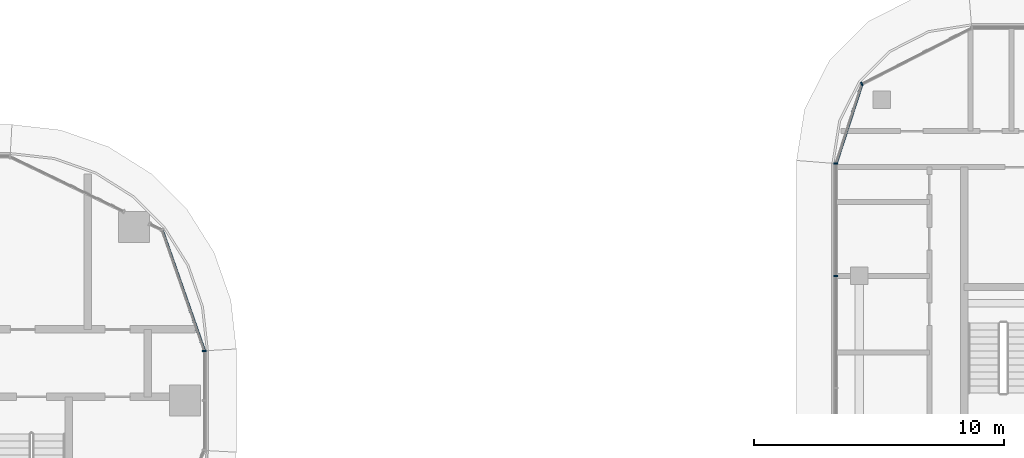
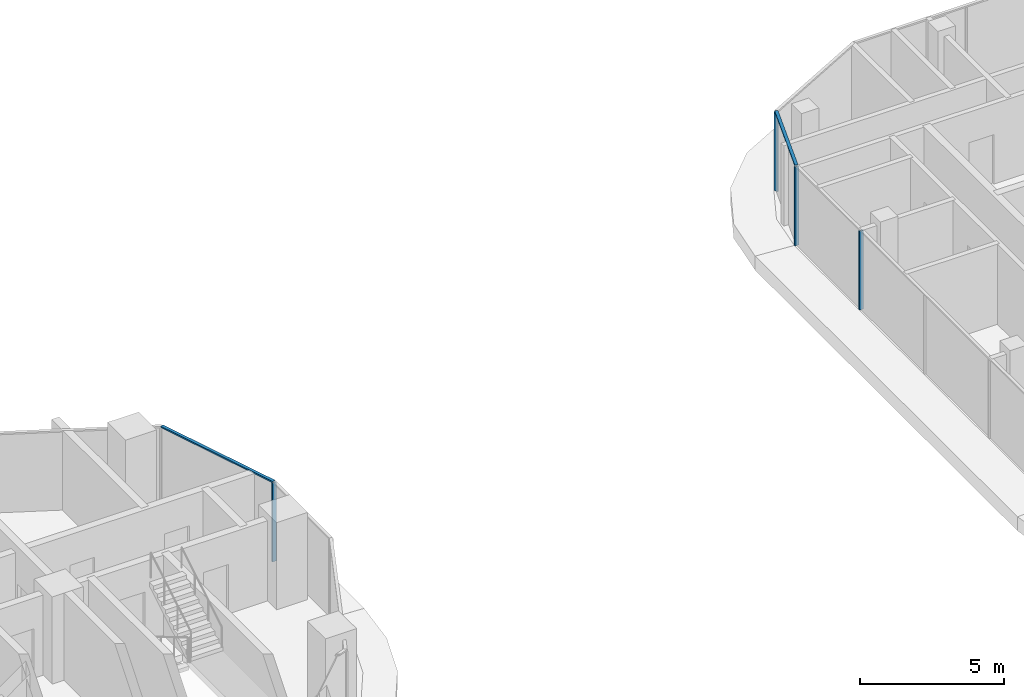
# One storey, part 9 of 40: 6 members, 4 elements without a shape of their own.
"""IFC4 building model written with IfcOpenShell, lengths in metres."""

from ifc_helpers import new_model, si_unit, direction, frame, origin, origin_2d, place, context, subcontext, project, spatial, rectangle, extrude, material, material_profile, profile_set, type_object, element, aggregate, save


model = new_model("IFC4")

# Units and contexts
model_context = context("Model", 3, precision=1e-05, world=origin(), true_north=direction((0.0, 1.0)))
body_context = subcontext(model_context, "Body", "Model", "MODEL_VIEW")
ifc_project = project(units=[si_unit("LENGTHUNIT", "METRE"), si_unit("AREAUNIT", "SQUARE_METRE"), si_unit("VOLUMEUNIT", "CUBIC_METRE"), si_unit("PLANEANGLEUNIT", "RADIAN"), si_unit("MASSUNIT", "GRAM", prefix="KILO")], contexts=[model_context])

# Site, building, storey
site_placement = place(None, origin())
site = spatial("IfcSite", under=ifc_project, at=site_placement, CompositionType="ELEMENT")
building_placement = place(site_placement, origin())
building = spatial("IfcBuilding", under=site, at=building_placement, Name="Ogive Portal Towers", CompositionType="ELEMENT")
storey_placement = place(building_placement, frame((0.0, 0.0, 87.10009765625)))
storey = spatial("IfcBuildingStorey", under=building, at=storey_placement, Name="L20", CompositionType="ELEMENT", Elevation=87.10009765625)

# Curtain wall, member
ifc_material_1 = material(Name="Glass, clear low-iron insulated glazing", Category="glass")
curtain_wall_type_1 = type_object("IfcCurtainWallType", Name="CW FRONT RIBBON 4500", PredefinedType="NOTDEFINED", material=ifc_material_1)
curtain_wall_1_placement = place(storey_placement, origin())
curtain_wall_1 = element("IfcCurtainWall", 1, at=curtain_wall_1_placement, inside=storey, type_object=curtain_wall_type_1, Name="A:L20:f08:cw0", PredefinedType="NOTDEFINED")
ifc_material_2 = material(Name="Aluminium 6063 anodised", Category="aluminium")
ifc_material_profile_1 = material_profile(ifc_material_2, rectangle(XDim=0.159912109375, YDim=0.06005859375, at=origin_2d()), Name="AL 60x160")
ifc_profile_set_1 = profile_set([ifc_material_profile_1], Name="Aluminium 6063 anodised")
member_type_1 = type_object("IfcMemberType", Name="CW MULLION 60x160", PredefinedType="MULLION", material=ifc_profile_set_1)
member_1_placement = place(storey_placement, frame((95.27490234375, 32.486328125, 0.0), z_axis=(0.0, 0.0, 1.0), x_axis=(-1.0, 0.0, 0.0)))
member_1 = element("IfcMember", 2, at=member_1_placement, type_object=member_type_1, Name="mullion", PredefinedType="MULLION", context=body_context, shape_type="SweptSolid", body=[
    extrude(rectangle(XDim=0.159912109375, YDim=0.06005859375, at=origin_2d()), origin(), (0.0, 0.0, 1.0), 3.33984375),
])
aggregate(curtain_wall_1, [member_1])

# Curtain wall, members
curtain_wall_type_2 = type_object("IfcCurtainWallType", Name="CW RESIDENCES RIBBON", PredefinedType="NOTDEFINED", material=ifc_material_1)
curtain_wall_2_placement = place(storey_placement, origin())
curtain_wall_2 = element("IfcCurtainWall", 3, at=curtain_wall_2_placement, inside=storey, type_object=curtain_wall_type_2, Name="B:L20:f11:cw0", PredefinedType="NOTDEFINED")
member_2_placement = place(storey_placement, frame((120.570068359375, 39.9873046875, 0.0), z_axis=(0.0, 0.0, 1.0), x_axis=(1.0, 0.0, 0.0)))
member_2 = element("IfcMember", 4, at=member_2_placement, type_object=member_type_1, Name="mullion", PredefinedType="MULLION", context=body_context, shape_type="SweptSolid", body=[
    extrude(rectangle(XDim=0.159912109375, YDim=0.06005859375, at=origin_2d()), origin(), (0.0, 0.0, 1.0), 3.33984375),
])
member_3_placement = place(storey_placement, frame((120.570068359375, 35.5, 0.0), z_axis=(0.0, 0.0, 1.0), x_axis=(1.0, 0.0, 0.0)))
member_3 = element("IfcMember", 5, at=member_3_placement, type_object=member_type_1, Name="mullion", PredefinedType="MULLION", context=body_context, shape_type="SweptSolid", body=[
    extrude(rectangle(XDim=0.159912109375, YDim=0.06005859375, at=origin_2d()), origin(), (0.0, 0.0, 1.0), 3.33984375),
])
aggregate(curtain_wall_2, [member_2, member_3])

# Curtain wall, member
curtain_wall_3_placement = place(storey_placement, origin())
curtain_wall_3 = element("IfcCurtainWall", 6, at=curtain_wall_3_placement, inside=storey, type_object=curtain_wall_type_2, Name="B:L20:f09:cwa", PredefinedType="NOTDEFINED")
member_4_placement = place(storey_placement, frame((121.608154296875, 43.182373046875, 0.0), z_axis=(0.0, 0.0, 1.0), x_axis=(0.45399049974, -0.891006524188, 0.0)))
member_4 = element("IfcMember", 7, at=member_4_placement, type_object=member_type_1, Name="mullion", PredefinedType="MULLION", context=body_context, shape_type="SweptSolid", body=[
    extrude(rectangle(XDim=0.159912109375, YDim=0.06005859375, at=origin_2d()), origin(), (0.0, 0.0, 1.0), 3.33984375),
])

curtain_wall_4_placement = place(storey_placement, origin())
curtain_wall_4 = element("IfcCurtainWall", 8, at=curtain_wall_4_placement, inside=storey, type_object=curtain_wall_type_1, Name="A:L20:f09:cwa~0", PredefinedType="NOTDEFINED")
ifc_material_profile_2 = material_profile(ifc_material_2, rectangle(XDim=0.1201171875, YDim=0.06005859375, at=origin_2d()), Name="AL 120x60")
ifc_profile_set_2 = profile_set([ifc_material_profile_2], Name="Aluminium 6063 anodised")
member_type_2 = type_object("IfcMemberType", Name="CW TRANSOM 60x120", PredefinedType="USERDEFINED", material=ifc_profile_set_2)
member_5_placement = place(storey_placement, frame((95.27490234375, 32.486328125, 3.369873046875), z_axis=(-0.330265827813, 0.943887961031, 0.0), x_axis=(-0.943887961031, -0.330265827813, 0.0)))
member_5 = element("IfcMember", 9, at=member_5_placement, type_object=member_type_2, Name="transom", ObjectType="TRANSOM", PredefinedType="USERDEFINED", context=body_context, shape_type="SweptSolid", body=[
    extrude(rectangle(XDim=0.1201171875, YDim=0.06005859375, at=origin_2d()), origin(), (0.0, 0.0, 1.0), 5.14208984375),
])
aggregate(curtain_wall_4, [member_5])

# Member
member_6_placement = place(storey_placement, frame((121.608154296875, 43.182373046875, 3.369873046875), z_axis=(-0.309002265981, -0.951061301714, 0.0), x_axis=(0.951061301714, -0.309002265981, 0.0)))
member_6 = element("IfcMember", 10, at=member_6_placement, type_object=member_type_2, Name="transom", ObjectType="TRANSOM", PredefinedType="USERDEFINED", context=body_context, shape_type="SweptSolid", body=[
    extrude(rectangle(XDim=0.1201171875, YDim=0.06005859375, at=origin_2d()), origin(), (0.0, 0.0, 1.0), 3.359375),
])

aggregate(curtain_wall_3, [member_6, member_4])

save(model, "model.ifc")
